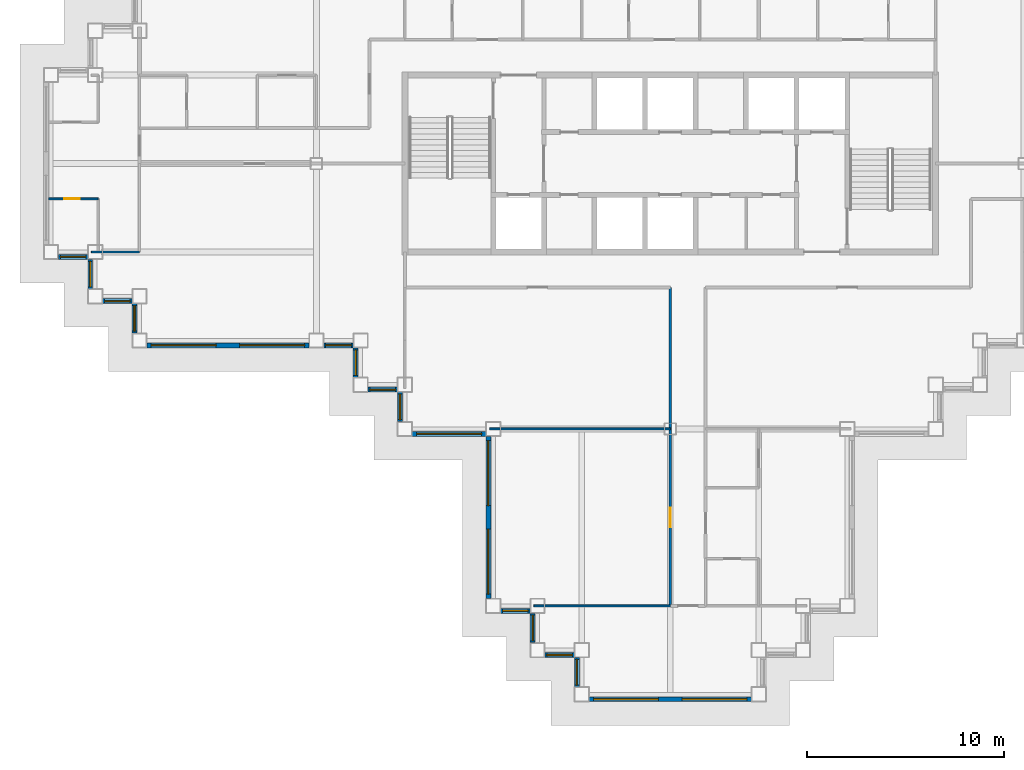
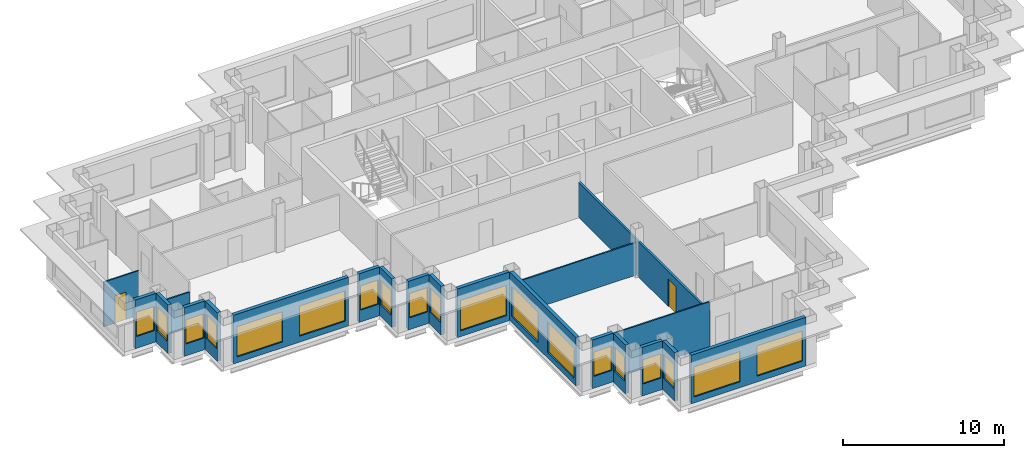
# One storey, part 3 of 13: 21 walls, 19 windows, 2 doors, 21 openings.
"""IFC4 building model written with IfcOpenShell, lengths in metres."""

from ifc_helpers import new_model, si_unit, direction, frame, frame_2d, origin, place, context, subcontext, project, spatial, rectangle, extrude, material, layer, layer_set, type_object, element, fill, save


model = new_model("IFC4")

# Units and contexts
model_context = context("Model", 3, precision=1e-05, world=origin(), true_north=direction((0.0, 1.0)))
body_context = subcontext(model_context, "Body", "Model", "MODEL_VIEW")
ifc_project = project(units=[si_unit("LENGTHUNIT", "METRE"), si_unit("AREAUNIT", "SQUARE_METRE"), si_unit("VOLUMEUNIT", "CUBIC_METRE"), si_unit("PLANEANGLEUNIT", "RADIAN"), si_unit("MASSUNIT", "GRAM", prefix="KILO")], contexts=[model_context])

# Site, building, storey
site_placement = place(None, origin())
site = spatial("IfcSite", under=ifc_project, at=site_placement, CompositionType="ELEMENT")
building_placement = place(site_placement, origin())
building = spatial("IfcBuilding", under=site, at=building_placement, Name="Caravel Reach Hotel and Residences", CompositionType="ELEMENT")
storey_placement = place(building_placement, frame((0.0, 0.0, 180.199951171875)))
storey = spatial("IfcBuildingStorey", under=building, at=storey_placement, Name="L45", CompositionType="ELEMENT", Elevation=180.199951171875)

# Wall, opening, door
ifc_material_1 = material(Name="Gypsum board on steel stud", Category="steel")
ifc_layer_1 = layer(ifc_material_1, 0.10009765625)
ifc_layer_set_1 = layer_set([ifc_layer_1], Name="Bathroom pod wall 100 mm")
wall_type_1 = type_object("IfcWallType", Name="Bathroom pod wall 100 mm", PredefinedType="PARTITIONING", material=ifc_layer_set_1)
wall_1_placement = place(storey_placement, frame((-0.125, 25.199951171875, 0.0), z_axis=(0.0, 0.0, 1.0), x_axis=(1.0, 0.0, 0.0)))
wall_1 = element("IfcWall", 1, at=wall_1_placement, inside=storey, type_object=wall_type_1, Name="L45 wall w074", PredefinedType="PARTITIONING", context=body_context, shape_type="SweptSolid", body=[
    extrude(rectangle(XDim=2.52490234375, YDim=0.10009765625, at=frame_2d((1.262451171875, 0.0))), origin(), (0.0, 0.0, 1.0), 3.400146484375),
])
opening_1_placement = place(wall_1_placement, frame((0.800048828125, 0.0, 0.0)))
opening_1 = element("IfcOpeningElement", 2, at=opening_1_placement, cuts=wall_1, Name="Opening D45-043", PredefinedType="OPENING", context=body_context, shape_type="SweptSolid", body=[
    extrude(rectangle(XDim=0.800048828125, YDim=2.10009765625, at=frame_2d((0.39990234375, 1.050048828125))), frame((0.0, 0.06005859375, 0.0), z_axis=(0.0, -1.0, 0.0), x_axis=(1.0, 0.0, 0.0)), (0.0, 0.0, 1.0), 0.1201171875),
])
ifc_material_2 = material(Name="Timber and steel door leaf", Category="steel")
door_type_1 = type_object("IfcDoorType", Name="Bathroom door 800 x 2100", OperationType="SINGLE_SWING_LEFT", PredefinedType="DOOR", material=ifc_material_2)
door_1_placement = place(opening_1_placement, origin())
door_1 = element("IfcDoor", 3, at=door_1_placement, inside=storey, type_object=door_type_1, Name="door D45-043", OperationType="SINGLE_SWING_LEFT", OverallHeight=2.10009765625, OverallWidth=0.800048828125, PredefinedType="DOOR", context=body_context, shape_type="SweptSolid", body=[
    extrude(rectangle(XDim=0.800048828125, YDim=2.10009765625, at=frame_2d((0.39990234375, 1.050048828125))), frame((0.0, 0.02490234375, 0.0), z_axis=(0.0, -1.0, 0.0), x_axis=(1.0, 0.0, 0.0)), (0.0, 0.0, 1.0), 0.050048828125),
])
fill(opening_1, door_1)

ifc_material_3 = material(Name="Gypsum board on steel stud, fire-rated", Category="steel")
ifc_layer_2 = layer(ifc_material_3, 0.14990234375)
ifc_layer_set_2 = layer_set([ifc_layer_2], Name="Corridor wall 150 mm EI 60")
wall_type_2 = type_object("IfcWallType", Name="Corridor wall 150 mm EI 60", PredefinedType="PARTITIONING", material=ifc_layer_set_2)
wall_2_placement = place(storey_placement, frame((31.5, 4.5, 0.0), z_axis=(0.0, 0.0, 1.0), x_axis=(0.0, 1.0, 0.0)))
wall_2 = element("IfcWall", 4, at=wall_2_placement, inside=storey, type_object=wall_type_2, Name="L45 wall w023", PredefinedType="PARTITIONING", context=body_context, shape_type="SweptSolid", body=[
    extrude(rectangle(XDim=16.199951171875, YDim=0.14990234375, at=frame_2d((8.10009765625, 0.0))), origin(), (0.0, 0.0, 1.0), 2.679931640625),
])
opening_2_placement = place(wall_2_placement, frame((4.0, 0.0, 0.0)))
opening_2 = element("IfcOpeningElement", 5, at=opening_2_placement, cuts=wall_2, Name="Opening D45-038", PredefinedType="OPENING", context=body_context, shape_type="SweptSolid", body=[
    extrude(rectangle(XDim=1.0, YDim=2.10009765625, at=frame_2d((0.5, 1.050048828125))), frame((0.0, 0.0849609375, 0.0), z_axis=(0.0, -1.0, 0.0), x_axis=(1.0, 0.0, 0.0)), (0.0, 0.0, 1.0), 0.169921875),
])
ifc_material_4 = material(Name="Steel fire door leaf", Category="steel")
door_type_2 = type_object("IfcDoorType", Name="Fire door 1000 x 2100 EI 60", OperationType="SINGLE_SWING_LEFT", PredefinedType="DOOR", material=ifc_material_4)
door_2_placement = place(opening_2_placement, origin())
door_2 = element("IfcDoor", 6, at=door_2_placement, inside=storey, type_object=door_type_2, Name="door D45-038", OperationType="SINGLE_SWING_LEFT", OverallHeight=2.10009765625, OverallWidth=1.0, PredefinedType="DOOR", context=body_context, shape_type="SweptSolid", body=[
    extrude(rectangle(XDim=1.0, YDim=2.10009765625, at=frame_2d((0.5, 1.050048828125))), frame((0.0, 0.02490234375, 0.0), z_axis=(0.0, -1.0, 0.0), x_axis=(1.0, 0.0, 0.0)), (0.0, 0.0, 1.0), 0.050048828125),
])
fill(opening_2, door_2)

# Wall, opening, window
ifc_material_5 = material(Name="Insulated rainscreen wall, aluminium cladding", Category="aluminium")
ifc_layer_3 = layer(ifc_material_5, 0.25)
ifc_layer_set_3 = layer_set([ifc_layer_3], Name="EW1 Tower rainscreen wall")
wall_type_3 = type_object("IfcWallType", Name="EW1 Tower rainscreen wall", PredefinedType="SOLIDWALL", material=ifc_layer_set_3)
wall_3_placement = place(storey_placement, frame((22.875, 4.25, 0.0), z_axis=(0.0, 0.0, 1.0), x_axis=(1.0, 0.0, 0.0)))
wall_3 = element("IfcWall", 7, at=wall_3_placement, inside=storey, type_object=wall_type_3, Name="External wall L45 S1.1", PredefinedType="SOLIDWALL", context=body_context, shape_type="SweptSolid", body=[
    extrude(rectangle(XDim=1.5, YDim=0.25, at=frame_2d((0.75, 0.0))), origin(), (0.0, 0.0, 1.0), 3.699951171875),
])
opening_3_placement = place(wall_3_placement, frame((0.10009765625, 0.0, 0.89990234375)))
opening_3 = element("IfcOpeningElement", 8, at=opening_3_placement, cuts=wall_3, Name="Opening WN16", PredefinedType="OPENING", context=body_context, shape_type="SweptSolid", body=[
    extrude(rectangle(XDim=1.300048828125, YDim=1.85009765625, at=frame_2d((0.64990234375, 0.925048828125))), frame((0.0, 0.135009765625, 0.0), z_axis=(0.0, -1.0, 0.0), x_axis=(1.0, 0.0, 0.0)), (0.0, 0.0, 1.0), 0.27001953125),
])
ifc_material_6 = material(Name="Dark low-e glazing in black aluminium frame", Category="aluminium")
window_type_1 = type_object("IfcWindowType", Name="Residence bedroom window 1300 x 1850", PartitioningType="SINGLE_PANEL", PredefinedType="WINDOW", material=ifc_material_6)
window_1_placement = place(opening_3_placement, origin())
window_1 = element("IfcWindow", 9, at=window_1_placement, inside=storey, type_object=window_type_1, Name="Window L45 S1.1.1", OverallHeight=1.85009765625, OverallWidth=1.300048828125, PartitioningType="SINGLE_PANEL", PredefinedType="WINDOW", context=body_context, shape_type="SweptSolid", body=[
    extrude(rectangle(XDim=1.300048828125, YDim=1.85009765625, at=frame_2d((0.64990234375, 0.925048828125))), frame((0.0, 0.030029296875, 0.0), z_axis=(0.0, -1.0, 0.0), x_axis=(1.0, 0.0, 0.0)), (0.0, 0.0, 1.0), 0.06005859375),
])
fill(opening_3, window_1)

wall_4_placement = place(storey_placement, frame((24.5, 4.125, 0.0), z_axis=(0.0, 0.0, 1.0), x_axis=(0.0, -1.0, 0.0)))
wall_4 = element("IfcWall", 10, at=wall_4_placement, inside=storey, type_object=wall_type_3, Name="External wall L45 W2.1", PredefinedType="SOLIDWALL", context=body_context, shape_type="SweptSolid", body=[
    extrude(rectangle(XDim=1.5, YDim=0.25, at=frame_2d((0.75, 0.0))), origin(), (0.0, 0.0, 1.0), 3.699951171875),
])
opening_4_placement = place(wall_4_placement, frame((0.10009765625, 0.0, 0.89990234375)))
opening_4 = element("IfcOpeningElement", 11, at=opening_4_placement, cuts=wall_4, Name="Opening WN16", PredefinedType="OPENING", context=body_context, shape_type="SweptSolid", body=[
    extrude(rectangle(XDim=1.300048828125, YDim=1.85009765625, at=frame_2d((0.64990234375, 0.925048828125))), frame((0.0, 0.135009765625, 0.0), z_axis=(0.0, -1.0, 0.0), x_axis=(1.0, 0.0, 0.0)), (0.0, 0.0, 1.0), 0.27001953125),
])
window_2_placement = place(opening_4_placement, origin())
window_2 = element("IfcWindow", 12, at=window_2_placement, inside=storey, type_object=window_type_1, Name="Window L45 W2.1.1", OverallHeight=1.85009765625, OverallWidth=1.300048828125, PartitioningType="SINGLE_PANEL", PredefinedType="WINDOW", context=body_context, shape_type="SweptSolid", body=[
    extrude(rectangle(XDim=1.300048828125, YDim=1.85009765625, at=frame_2d((0.64990234375, 0.925048828125))), frame((0.0, 0.030029296875, 0.0), z_axis=(0.0, -1.0, 0.0), x_axis=(1.0, 0.0, 0.0)), (0.0, 0.0, 1.0), 0.06005859375),
])
fill(opening_4, window_2)

wall_5_placement = place(storey_placement, frame((25.125, 2.0, 0.0), z_axis=(0.0, 0.0, 1.0), x_axis=(1.0, 0.0, 0.0)))
wall_5 = element("IfcWall", 13, at=wall_5_placement, inside=storey, type_object=wall_type_3, Name="External wall L45 S3.1", PredefinedType="SOLIDWALL", context=body_context, shape_type="SweptSolid", body=[
    extrude(rectangle(XDim=1.5, YDim=0.25, at=frame_2d((0.75, 0.0))), origin(), (0.0, 0.0, 1.0), 3.699951171875),
])
opening_5_placement = place(wall_5_placement, frame((0.10009765625, 0.0, 0.89990234375)))
opening_5 = element("IfcOpeningElement", 14, at=opening_5_placement, cuts=wall_5, Name="Opening WN16", PredefinedType="OPENING", context=body_context, shape_type="SweptSolid", body=[
    extrude(rectangle(XDim=1.300048828125, YDim=1.85009765625, at=frame_2d((0.64990234375, 0.925048828125))), frame((0.0, 0.135009765625, 0.0), z_axis=(0.0, -1.0, 0.0), x_axis=(1.0, 0.0, 0.0)), (0.0, 0.0, 1.0), 0.27001953125),
])
window_3_placement = place(opening_5_placement, origin())
window_3 = element("IfcWindow", 15, at=window_3_placement, inside=storey, type_object=window_type_1, Name="Window L45 S3.1.1", OverallHeight=1.85009765625, OverallWidth=1.300048828125, PartitioningType="SINGLE_PANEL", PredefinedType="WINDOW", context=body_context, shape_type="SweptSolid", body=[
    extrude(rectangle(XDim=1.300048828125, YDim=1.85009765625, at=frame_2d((0.64990234375, 0.925048828125))), frame((0.0, 0.030029296875, 0.0), z_axis=(0.0, -1.0, 0.0), x_axis=(1.0, 0.0, 0.0)), (0.0, 0.0, 1.0), 0.06005859375),
])
fill(opening_5, window_3)

wall_6_placement = place(storey_placement, frame((26.75, 1.875, 0.0), z_axis=(0.0, 0.0, 1.0), x_axis=(0.0, -1.0, 0.0)))
wall_6 = element("IfcWall", 16, at=wall_6_placement, inside=storey, type_object=wall_type_3, Name="External wall L45 W4.1", PredefinedType="SOLIDWALL", context=body_context, shape_type="SweptSolid", body=[
    extrude(rectangle(XDim=1.5, YDim=0.25, at=frame_2d((0.75, 0.0))), origin(), (0.0, 0.0, 1.0), 3.699951171875),
])
opening_6_placement = place(wall_6_placement, frame((0.10009765625, 0.0, 0.89990234375)))
opening_6 = element("IfcOpeningElement", 17, at=opening_6_placement, cuts=wall_6, Name="Opening WN16", PredefinedType="OPENING", context=body_context, shape_type="SweptSolid", body=[
    extrude(rectangle(XDim=1.300048828125, YDim=1.85009765625, at=frame_2d((0.64990234375, 0.925048828125))), frame((0.0, 0.135009765625, 0.0), z_axis=(0.0, -1.0, 0.0), x_axis=(1.0, 0.0, 0.0)), (0.0, 0.0, 1.0), 0.27001953125),
])
window_4_placement = place(opening_6_placement, origin())
window_4 = element("IfcWindow", 18, at=window_4_placement, inside=storey, type_object=window_type_1, Name="Window L45 W4.1.1", OverallHeight=1.85009765625, OverallWidth=1.300048828125, PartitioningType="SINGLE_PANEL", PredefinedType="WINDOW", context=body_context, shape_type="SweptSolid", body=[
    extrude(rectangle(XDim=1.300048828125, YDim=1.85009765625, at=frame_2d((0.64990234375, 0.925048828125))), frame((0.0, 0.030029296875, 0.0), z_axis=(0.0, -1.0, 0.0), x_axis=(1.0, 0.0, 0.0)), (0.0, 0.0, 1.0), 0.06005859375),
])
fill(opening_6, window_4)

# Wall, openings, windows
wall_7_placement = place(storey_placement, frame((27.375, -0.25, 0.0), z_axis=(0.0, 0.0, 1.0), x_axis=(1.0, 0.0, 0.0)))
wall_7 = element("IfcWall", 19, at=wall_7_placement, inside=storey, type_object=wall_type_3, Name="External wall L45 S5.1", PredefinedType="SOLIDWALL", context=body_context, shape_type="SweptSolid", body=[
    extrude(rectangle(XDim=8.25, YDim=0.25, at=frame_2d((4.125, 0.0))), origin(), (0.0, 0.0, 1.0), 3.699951171875),
])
opening_7_placement = place(wall_7_placement, frame((0.22509765625, 0.0, 0.449951171875)))
opening_7 = element("IfcOpeningElement", 20, at=opening_7_placement, cuts=wall_7, Name="Opening WN15", PredefinedType="OPENING", context=body_context, shape_type="SweptSolid", body=[
    extrude(rectangle(XDim=3.300048828125, YDim=2.300048828125, at=frame_2d((1.64990234375, 1.14990234375))), frame((0.0, 0.135009765625, 0.0), z_axis=(0.0, -1.0, 0.0), x_axis=(1.0, 0.0, 0.0)), (0.0, 0.0, 1.0), 0.27001953125),
])
opening_8_placement = place(wall_7_placement, frame((4.72509765625, 0.0, 0.449951171875)))
opening_8 = element("IfcOpeningElement", 21, at=opening_8_placement, cuts=wall_7, Name="Opening WN15", PredefinedType="OPENING", context=body_context, shape_type="SweptSolid", body=[
    extrude(rectangle(XDim=3.300048828125, YDim=2.300048828125, at=frame_2d((1.64990234375, 1.14990234375))), frame((0.0, 0.135009765625, 0.0), z_axis=(0.0, -1.0, 0.0), x_axis=(1.0, 0.0, 0.0)), (0.0, 0.0, 1.0), 0.27001953125),
])
ifc_material_7 = material(Name="Dark low-e glazing in black aluminium frame", Category="aluminium")
window_type_2 = type_object("IfcWindowType", Name="Residence living window 3300 x 2300", PartitioningType="SINGLE_PANEL", PredefinedType="WINDOW", material=ifc_material_7)
window_5_placement = place(opening_7_placement, origin())
window_5 = element("IfcWindow", 22, at=window_5_placement, inside=storey, type_object=window_type_2, Name="Window L45 S5.1.1", OverallHeight=2.300048828125, OverallWidth=3.300048828125, PartitioningType="SINGLE_PANEL", PredefinedType="WINDOW", context=body_context, shape_type="SweptSolid", body=[
    extrude(rectangle(XDim=3.300048828125, YDim=2.300048828125, at=frame_2d((1.64990234375, 1.14990234375))), frame((0.0, 0.030029296875, 0.0), z_axis=(0.0, -1.0, 0.0), x_axis=(1.0, 0.0, 0.0)), (0.0, 0.0, 1.0), 0.06005859375),
])
fill(opening_7, window_5)
window_6_placement = place(opening_8_placement, origin())
window_6 = element("IfcWindow", 23, at=window_6_placement, inside=storey, type_object=window_type_2, Name="Window L45 S5.1.2", OverallHeight=2.300048828125, OverallWidth=3.300048828125, PartitioningType="SINGLE_PANEL", PredefinedType="WINDOW", context=body_context, shape_type="SweptSolid", body=[
    extrude(rectangle(XDim=3.300048828125, YDim=2.300048828125, at=frame_2d((1.64990234375, 1.14990234375))), frame((0.0, 0.030029296875, 0.0), z_axis=(0.0, -1.0, 0.0), x_axis=(1.0, 0.0, 0.0)), (0.0, 0.0, 1.0), 0.06005859375),
])
fill(opening_8, window_6)

# Wall, opening, window
wall_8_placement = place(storey_placement, frame((0.375, 22.25, 0.0), z_axis=(0.0, 0.0, 1.0), x_axis=(1.0, 0.0, 0.0)))
wall_8 = element("IfcWall", 24, at=wall_8_placement, inside=storey, type_object=wall_type_3, Name="External wall L45 S39.1", PredefinedType="SOLIDWALL", context=body_context, shape_type="SweptSolid", body=[
    extrude(rectangle(XDim=1.5, YDim=0.25, at=frame_2d((0.75, 0.0))), origin(), (0.0, 0.0, 1.0), 3.699951171875),
])
opening_9_placement = place(wall_8_placement, frame((0.10009765625, 0.0, 0.89990234375)))
opening_9 = element("IfcOpeningElement", 25, at=opening_9_placement, cuts=wall_8, Name="Opening WN16", PredefinedType="OPENING", context=body_context, shape_type="SweptSolid", body=[
    extrude(rectangle(XDim=1.300048828125, YDim=1.85009765625, at=frame_2d((0.64990234375, 0.925048828125))), frame((0.0, 0.135009765625, 0.0), z_axis=(0.0, -1.0, 0.0), x_axis=(1.0, 0.0, 0.0)), (0.0, 0.0, 1.0), 0.27001953125),
])
window_7_placement = place(opening_9_placement, origin())
window_7 = element("IfcWindow", 26, at=window_7_placement, inside=storey, type_object=window_type_1, Name="Window L45 S39.1.1", OverallHeight=1.85009765625, OverallWidth=1.300048828125, PartitioningType="SINGLE_PANEL", PredefinedType="WINDOW", context=body_context, shape_type="SweptSolid", body=[
    extrude(rectangle(XDim=1.300048828125, YDim=1.85009765625, at=frame_2d((0.64990234375, 0.925048828125))), frame((0.0, 0.030029296875, 0.0), z_axis=(0.0, -1.0, 0.0), x_axis=(1.0, 0.0, 0.0)), (0.0, 0.0, 1.0), 0.06005859375),
])
fill(opening_9, window_7)

wall_9_placement = place(storey_placement, frame((2.0, 22.125, 0.0), z_axis=(0.0, 0.0, 1.0), x_axis=(0.0, -1.0, 0.0)))
wall_9 = element("IfcWall", 27, at=wall_9_placement, inside=storey, type_object=wall_type_3, Name="External wall L45 W40.1", PredefinedType="SOLIDWALL", context=body_context, shape_type="SweptSolid", body=[
    extrude(rectangle(XDim=1.5, YDim=0.25, at=frame_2d((0.75, 0.0))), origin(), (0.0, 0.0, 1.0), 3.699951171875),
])
opening_10_placement = place(wall_9_placement, frame((0.10009765625, 0.0, 0.89990234375)))
opening_10 = element("IfcOpeningElement", 28, at=opening_10_placement, cuts=wall_9, Name="Opening WN16", PredefinedType="OPENING", context=body_context, shape_type="SweptSolid", body=[
    extrude(rectangle(XDim=1.300048828125, YDim=1.85009765625, at=frame_2d((0.64990234375, 0.925048828125))), frame((0.0, 0.135009765625, 0.0), z_axis=(0.0, -1.0, 0.0), x_axis=(1.0, 0.0, 0.0)), (0.0, 0.0, 1.0), 0.27001953125),
])
window_8_placement = place(opening_10_placement, origin())
window_8 = element("IfcWindow", 29, at=window_8_placement, inside=storey, type_object=window_type_1, Name="Window L45 W40.1.1", OverallHeight=1.85009765625, OverallWidth=1.300048828125, PartitioningType="SINGLE_PANEL", PredefinedType="WINDOW", context=body_context, shape_type="SweptSolid", body=[
    extrude(rectangle(XDim=1.300048828125, YDim=1.85009765625, at=frame_2d((0.64990234375, 0.925048828125))), frame((0.0, 0.030029296875, 0.0), z_axis=(0.0, -1.0, 0.0), x_axis=(1.0, 0.0, 0.0)), (0.0, 0.0, 1.0), 0.06005859375),
])
fill(opening_10, window_8)

wall_10_placement = place(storey_placement, frame((2.625, 20.0, 0.0), z_axis=(0.0, 0.0, 1.0), x_axis=(1.0, 0.0, 0.0)))
wall_10 = element("IfcWall", 30, at=wall_10_placement, inside=storey, type_object=wall_type_3, Name="External wall L45 S41.1", PredefinedType="SOLIDWALL", context=body_context, shape_type="SweptSolid", body=[
    extrude(rectangle(XDim=1.5, YDim=0.25, at=frame_2d((0.75, 0.0))), origin(), (0.0, 0.0, 1.0), 3.699951171875),
])
opening_11_placement = place(wall_10_placement, frame((0.10009765625, 0.0, 0.89990234375)))
opening_11 = element("IfcOpeningElement", 31, at=opening_11_placement, cuts=wall_10, Name="Opening WN16", PredefinedType="OPENING", context=body_context, shape_type="SweptSolid", body=[
    extrude(rectangle(XDim=1.300048828125, YDim=1.85009765625, at=frame_2d((0.64990234375, 0.925048828125))), frame((0.0, 0.135009765625, 0.0), z_axis=(0.0, -1.0, 0.0), x_axis=(1.0, 0.0, 0.0)), (0.0, 0.0, 1.0), 0.27001953125),
])
window_9_placement = place(opening_11_placement, origin())
window_9 = element("IfcWindow", 32, at=window_9_placement, inside=storey, type_object=window_type_1, Name="Window L45 S41.1.1", OverallHeight=1.85009765625, OverallWidth=1.300048828125, PartitioningType="SINGLE_PANEL", PredefinedType="WINDOW", context=body_context, shape_type="SweptSolid", body=[
    extrude(rectangle(XDim=1.300048828125, YDim=1.85009765625, at=frame_2d((0.64990234375, 0.925048828125))), frame((0.0, 0.030029296875, 0.0), z_axis=(0.0, -1.0, 0.0), x_axis=(1.0, 0.0, 0.0)), (0.0, 0.0, 1.0), 0.06005859375),
])
fill(opening_11, window_9)

wall_11_placement = place(storey_placement, frame((4.25, 19.875, 0.0), z_axis=(0.0, 0.0, 1.0), x_axis=(0.0, -1.0, 0.0)))
wall_11 = element("IfcWall", 33, at=wall_11_placement, inside=storey, type_object=wall_type_3, Name="External wall L45 W42.1", PredefinedType="SOLIDWALL", context=body_context, shape_type="SweptSolid", body=[
    extrude(rectangle(XDim=1.5, YDim=0.25, at=frame_2d((0.75, 0.0))), origin(), (0.0, 0.0, 1.0), 3.699951171875),
])
opening_12_placement = place(wall_11_placement, frame((0.10009765625, 0.0, 0.89990234375)))
opening_12 = element("IfcOpeningElement", 34, at=opening_12_placement, cuts=wall_11, Name="Opening WN16", PredefinedType="OPENING", context=body_context, shape_type="SweptSolid", body=[
    extrude(rectangle(XDim=1.300048828125, YDim=1.85009765625, at=frame_2d((0.64990234375, 0.925048828125))), frame((0.0, 0.135009765625, 0.0), z_axis=(0.0, -1.0, 0.0), x_axis=(1.0, 0.0, 0.0)), (0.0, 0.0, 1.0), 0.27001953125),
])
window_10_placement = place(opening_12_placement, origin())
window_10 = element("IfcWindow", 35, at=window_10_placement, inside=storey, type_object=window_type_1, Name="Window L45 W42.1.1", OverallHeight=1.85009765625, OverallWidth=1.300048828125, PartitioningType="SINGLE_PANEL", PredefinedType="WINDOW", context=body_context, shape_type="SweptSolid", body=[
    extrude(rectangle(XDim=1.300048828125, YDim=1.85009765625, at=frame_2d((0.64990234375, 0.925048828125))), frame((0.0, 0.030029296875, 0.0), z_axis=(0.0, -1.0, 0.0), x_axis=(1.0, 0.0, 0.0)), (0.0, 0.0, 1.0), 0.06005859375),
])
fill(opening_12, window_10)

# Wall, openings, windows
wall_12_placement = place(storey_placement, frame((4.875, 17.75, 0.0), z_axis=(0.0, 0.0, 1.0), x_axis=(1.0, 0.0, 0.0)))
wall_12 = element("IfcWall", 36, at=wall_12_placement, inside=storey, type_object=wall_type_3, Name="External wall L45 S43.1", PredefinedType="SOLIDWALL", context=body_context, shape_type="SweptSolid", body=[
    extrude(rectangle(XDim=8.25, YDim=0.25, at=frame_2d((4.125, 0.0))), origin(), (0.0, 0.0, 1.0), 3.699951171875),
])
opening_13_placement = place(wall_12_placement, frame((0.22509765625, 0.0, 0.449951171875)))
opening_13 = element("IfcOpeningElement", 37, at=opening_13_placement, cuts=wall_12, Name="Opening WN15", PredefinedType="OPENING", context=body_context, shape_type="SweptSolid", body=[
    extrude(rectangle(XDim=3.300048828125, YDim=2.300048828125, at=frame_2d((1.64990234375, 1.14990234375))), frame((0.0, 0.135009765625, 0.0), z_axis=(0.0, -1.0, 0.0), x_axis=(1.0, 0.0, 0.0)), (0.0, 0.0, 1.0), 0.27001953125),
])
opening_14_placement = place(wall_12_placement, frame((4.72509765625, 0.0, 0.449951171875)))
opening_14 = element("IfcOpeningElement", 38, at=opening_14_placement, cuts=wall_12, Name="Opening WN15", PredefinedType="OPENING", context=body_context, shape_type="SweptSolid", body=[
    extrude(rectangle(XDim=3.300048828125, YDim=2.300048828125, at=frame_2d((1.64990234375, 1.14990234375))), frame((0.0, 0.135009765625, 0.0), z_axis=(0.0, -1.0, 0.0), x_axis=(1.0, 0.0, 0.0)), (0.0, 0.0, 1.0), 0.27001953125),
])
window_11_placement = place(opening_13_placement, origin())
window_11 = element("IfcWindow", 39, at=window_11_placement, inside=storey, type_object=window_type_2, Name="Window L45 S43.1.1", OverallHeight=2.300048828125, OverallWidth=3.300048828125, PartitioningType="SINGLE_PANEL", PredefinedType="WINDOW", context=body_context, shape_type="SweptSolid", body=[
    extrude(rectangle(XDim=3.300048828125, YDim=2.300048828125, at=frame_2d((1.64990234375, 1.14990234375))), frame((0.0, 0.030029296875, 0.0), z_axis=(0.0, -1.0, 0.0), x_axis=(1.0, 0.0, 0.0)), (0.0, 0.0, 1.0), 0.06005859375),
])
fill(opening_13, window_11)
window_12_placement = place(opening_14_placement, origin())
window_12 = element("IfcWindow", 40, at=window_12_placement, inside=storey, type_object=window_type_2, Name="Window L45 S43.1.2", OverallHeight=2.300048828125, OverallWidth=3.300048828125, PartitioningType="SINGLE_PANEL", PredefinedType="WINDOW", context=body_context, shape_type="SweptSolid", body=[
    extrude(rectangle(XDim=3.300048828125, YDim=2.300048828125, at=frame_2d((1.64990234375, 1.14990234375))), frame((0.0, 0.030029296875, 0.0), z_axis=(0.0, -1.0, 0.0), x_axis=(1.0, 0.0, 0.0)), (0.0, 0.0, 1.0), 0.06005859375),
])
fill(opening_14, window_12)

# Wall, opening, window
wall_13_placement = place(storey_placement, frame((13.875, 17.75, 0.0), z_axis=(0.0, 0.0, 1.0), x_axis=(1.0, 0.0, 0.0)))
wall_13 = element("IfcWall", 41, at=wall_13_placement, inside=storey, type_object=wall_type_3, Name="External wall L45 S43.2", PredefinedType="SOLIDWALL", context=body_context, shape_type="SweptSolid", body=[
    extrude(rectangle(XDim=1.5, YDim=0.25, at=frame_2d((0.75, 0.0))), origin(), (0.0, 0.0, 1.0), 3.699951171875),
])
opening_15_placement = place(wall_13_placement, frame((0.10009765625, 0.0, 0.89990234375)))
opening_15 = element("IfcOpeningElement", 42, at=opening_15_placement, cuts=wall_13, Name="Opening WN16", PredefinedType="OPENING", context=body_context, shape_type="SweptSolid", body=[
    extrude(rectangle(XDim=1.300048828125, YDim=1.85009765625, at=frame_2d((0.64990234375, 0.925048828125))), frame((0.0, 0.135009765625, 0.0), z_axis=(0.0, -1.0, 0.0), x_axis=(1.0, 0.0, 0.0)), (0.0, 0.0, 1.0), 0.27001953125),
])
window_13_placement = place(opening_15_placement, origin())
window_13 = element("IfcWindow", 43, at=window_13_placement, inside=storey, type_object=window_type_1, Name="Window L45 S43.2.1", OverallHeight=1.85009765625, OverallWidth=1.300048828125, PartitioningType="SINGLE_PANEL", PredefinedType="WINDOW", context=body_context, shape_type="SweptSolid", body=[
    extrude(rectangle(XDim=1.300048828125, YDim=1.85009765625, at=frame_2d((0.64990234375, 0.925048828125))), frame((0.0, 0.030029296875, 0.0), z_axis=(0.0, -1.0, 0.0), x_axis=(1.0, 0.0, 0.0)), (0.0, 0.0, 1.0), 0.06005859375),
])
fill(opening_15, window_13)

wall_14_placement = place(storey_placement, frame((15.5, 17.625, 0.0), z_axis=(0.0, 0.0, 1.0), x_axis=(0.0, -1.0, 0.0)))
wall_14 = element("IfcWall", 44, at=wall_14_placement, inside=storey, type_object=wall_type_3, Name="External wall L45 W44.1", PredefinedType="SOLIDWALL", context=body_context, shape_type="SweptSolid", body=[
    extrude(rectangle(XDim=1.5, YDim=0.25, at=frame_2d((0.75, 0.0))), origin(), (0.0, 0.0, 1.0), 3.699951171875),
])
opening_16_placement = place(wall_14_placement, frame((0.10009765625, 0.0, 0.89990234375)))
opening_16 = element("IfcOpeningElement", 45, at=opening_16_placement, cuts=wall_14, Name="Opening WN16", PredefinedType="OPENING", context=body_context, shape_type="SweptSolid", body=[
    extrude(rectangle(XDim=1.300048828125, YDim=1.85009765625, at=frame_2d((0.64990234375, 0.925048828125))), frame((0.0, 0.135009765625, 0.0), z_axis=(0.0, -1.0, 0.0), x_axis=(1.0, 0.0, 0.0)), (0.0, 0.0, 1.0), 0.27001953125),
])
window_14_placement = place(opening_16_placement, origin())
window_14 = element("IfcWindow", 46, at=window_14_placement, inside=storey, type_object=window_type_1, Name="Window L45 W44.1.1", OverallHeight=1.85009765625, OverallWidth=1.300048828125, PartitioningType="SINGLE_PANEL", PredefinedType="WINDOW", context=body_context, shape_type="SweptSolid", body=[
    extrude(rectangle(XDim=1.300048828125, YDim=1.85009765625, at=frame_2d((0.64990234375, 0.925048828125))), frame((0.0, 0.030029296875, 0.0), z_axis=(0.0, -1.0, 0.0), x_axis=(1.0, 0.0, 0.0)), (0.0, 0.0, 1.0), 0.06005859375),
])
fill(opening_16, window_14)

wall_15_placement = place(storey_placement, frame((16.125, 15.5, 0.0), z_axis=(0.0, 0.0, 1.0), x_axis=(1.0, 0.0, 0.0)))
wall_15 = element("IfcWall", 47, at=wall_15_placement, inside=storey, type_object=wall_type_3, Name="External wall L45 S45.1", PredefinedType="SOLIDWALL", context=body_context, shape_type="SweptSolid", body=[
    extrude(rectangle(XDim=1.5, YDim=0.25, at=frame_2d((0.75, 0.0))), origin(), (0.0, 0.0, 1.0), 3.699951171875),
])
opening_17_placement = place(wall_15_placement, frame((0.10009765625, 0.0, 0.89990234375)))
opening_17 = element("IfcOpeningElement", 48, at=opening_17_placement, cuts=wall_15, Name="Opening WN16", PredefinedType="OPENING", context=body_context, shape_type="SweptSolid", body=[
    extrude(rectangle(XDim=1.300048828125, YDim=1.85009765625, at=frame_2d((0.64990234375, 0.925048828125))), frame((0.0, 0.135009765625, 0.0), z_axis=(0.0, -1.0, 0.0), x_axis=(1.0, 0.0, 0.0)), (0.0, 0.0, 1.0), 0.27001953125),
])
window_15_placement = place(opening_17_placement, origin())
window_15 = element("IfcWindow", 49, at=window_15_placement, inside=storey, type_object=window_type_1, Name="Window L45 S45.1.1", OverallHeight=1.85009765625, OverallWidth=1.300048828125, PartitioningType="SINGLE_PANEL", PredefinedType="WINDOW", context=body_context, shape_type="SweptSolid", body=[
    extrude(rectangle(XDim=1.300048828125, YDim=1.85009765625, at=frame_2d((0.64990234375, 0.925048828125))), frame((0.0, 0.030029296875, 0.0), z_axis=(0.0, -1.0, 0.0), x_axis=(1.0, 0.0, 0.0)), (0.0, 0.0, 1.0), 0.06005859375),
])
fill(opening_17, window_15)

wall_16_placement = place(storey_placement, frame((17.75, 15.375, 0.0), z_axis=(0.0, 0.0, 1.0), x_axis=(0.0, -1.0, 0.0)))
wall_16 = element("IfcWall", 50, at=wall_16_placement, inside=storey, type_object=wall_type_3, Name="External wall L45 W46.1", PredefinedType="SOLIDWALL", context=body_context, shape_type="SweptSolid", body=[
    extrude(rectangle(XDim=1.5, YDim=0.25, at=frame_2d((0.75, 0.0))), origin(), (0.0, 0.0, 1.0), 3.699951171875),
])
opening_18_placement = place(wall_16_placement, frame((0.10009765625, 0.0, 0.89990234375)))
opening_18 = element("IfcOpeningElement", 51, at=opening_18_placement, cuts=wall_16, Name="Opening WN16", PredefinedType="OPENING", context=body_context, shape_type="SweptSolid", body=[
    extrude(rectangle(XDim=1.300048828125, YDim=1.85009765625, at=frame_2d((0.64990234375, 0.925048828125))), frame((0.0, 0.135009765625, 0.0), z_axis=(0.0, -1.0, 0.0), x_axis=(1.0, 0.0, 0.0)), (0.0, 0.0, 1.0), 0.27001953125),
])
window_16_placement = place(opening_18_placement, origin())
window_16 = element("IfcWindow", 52, at=window_16_placement, inside=storey, type_object=window_type_1, Name="Window L45 W46.1.1", OverallHeight=1.85009765625, OverallWidth=1.300048828125, PartitioningType="SINGLE_PANEL", PredefinedType="WINDOW", context=body_context, shape_type="SweptSolid", body=[
    extrude(rectangle(XDim=1.300048828125, YDim=1.85009765625, at=frame_2d((0.64990234375, 0.925048828125))), frame((0.0, 0.030029296875, 0.0), z_axis=(0.0, -1.0, 0.0), x_axis=(1.0, 0.0, 0.0)), (0.0, 0.0, 1.0), 0.06005859375),
])
fill(opening_18, window_16)

wall_17_placement = place(storey_placement, frame((18.375, 13.25, 0.0), z_axis=(0.0, 0.0, 1.0), x_axis=(1.0, 0.0, 0.0)))
wall_17 = element("IfcWall", 53, at=wall_17_placement, inside=storey, type_object=wall_type_3, Name="External wall L45 S47.1", PredefinedType="SOLIDWALL", context=body_context, shape_type="SweptSolid", body=[
    extrude(rectangle(XDim=3.75, YDim=0.25, at=frame_2d((1.875, 0.0))), origin(), (0.0, 0.0, 1.0), 3.699951171875),
])
opening_19_placement = place(wall_17_placement, frame((0.22509765625, 0.0, 0.449951171875)))
opening_19 = element("IfcOpeningElement", 54, at=opening_19_placement, cuts=wall_17, Name="Opening WN15", PredefinedType="OPENING", context=body_context, shape_type="SweptSolid", body=[
    extrude(rectangle(XDim=3.300048828125, YDim=2.300048828125, at=frame_2d((1.64990234375, 1.14990234375))), frame((0.0, 0.135009765625, 0.0), z_axis=(0.0, -1.0, 0.0), x_axis=(1.0, 0.0, 0.0)), (0.0, 0.0, 1.0), 0.27001953125),
])
window_17_placement = place(opening_19_placement, origin())
window_17 = element("IfcWindow", 55, at=window_17_placement, inside=storey, type_object=window_type_2, Name="Window L45 S47.1.1", OverallHeight=2.300048828125, OverallWidth=3.300048828125, PartitioningType="SINGLE_PANEL", PredefinedType="WINDOW", context=body_context, shape_type="SweptSolid", body=[
    extrude(rectangle(XDim=3.300048828125, YDim=2.300048828125, at=frame_2d((1.64990234375, 1.14990234375))), frame((0.0, 0.030029296875, 0.0), z_axis=(0.0, -1.0, 0.0), x_axis=(1.0, 0.0, 0.0)), (0.0, 0.0, 1.0), 0.06005859375),
])
fill(opening_19, window_17)

# Wall, openings, windows
wall_18_placement = place(storey_placement, frame((22.25, 13.125, 0.0), z_axis=(0.0, 0.0, 1.0), x_axis=(0.0, -1.0, 0.0)))
wall_18 = element("IfcWall", 56, at=wall_18_placement, inside=storey, type_object=wall_type_3, Name="External wall L45 W48.1", PredefinedType="SOLIDWALL", context=body_context, shape_type="SweptSolid", body=[
    extrude(rectangle(XDim=8.25, YDim=0.25, at=frame_2d((4.125, 0.0))), origin(), (0.0, 0.0, 1.0), 3.699951171875),
])
opening_20_placement = place(wall_18_placement, frame((0.22509765625, 0.0, 0.449951171875)))
opening_20 = element("IfcOpeningElement", 57, at=opening_20_placement, cuts=wall_18, Name="Opening WN15", PredefinedType="OPENING", context=body_context, shape_type="SweptSolid", body=[
    extrude(rectangle(XDim=3.300048828125, YDim=2.300048828125, at=frame_2d((1.64990234375, 1.14990234375))), frame((0.0, 0.135009765625, 0.0), z_axis=(0.0, -1.0, 0.0), x_axis=(1.0, 0.0, 0.0)), (0.0, 0.0, 1.0), 0.27001953125),
])
opening_21_placement = place(wall_18_placement, frame((4.72509765625, 0.0, 0.449951171875)))
opening_21 = element("IfcOpeningElement", 58, at=opening_21_placement, cuts=wall_18, Name="Opening WN15", PredefinedType="OPENING", context=body_context, shape_type="SweptSolid", body=[
    extrude(rectangle(XDim=3.300048828125, YDim=2.300048828125, at=frame_2d((1.64990234375, 1.14990234375))), frame((0.0, 0.135009765625, 0.0), z_axis=(0.0, -1.0, 0.0), x_axis=(1.0, 0.0, 0.0)), (0.0, 0.0, 1.0), 0.27001953125),
])
window_18_placement = place(opening_20_placement, origin())
window_18 = element("IfcWindow", 59, at=window_18_placement, inside=storey, type_object=window_type_2, Name="Window L45 W48.1.1", OverallHeight=2.300048828125, OverallWidth=3.300048828125, PartitioningType="SINGLE_PANEL", PredefinedType="WINDOW", context=body_context, shape_type="SweptSolid", body=[
    extrude(rectangle(XDim=3.300048828125, YDim=2.300048828125, at=frame_2d((1.64990234375, 1.14990234375))), frame((0.0, 0.030029296875, 0.0), z_axis=(0.0, -1.0, 0.0), x_axis=(1.0, 0.0, 0.0)), (0.0, 0.0, 1.0), 0.06005859375),
])
fill(opening_20, window_18)
window_19_placement = place(opening_21_placement, origin())
window_19 = element("IfcWindow", 60, at=window_19_placement, inside=storey, type_object=window_type_2, Name="Window L45 W48.1.2", OverallHeight=2.300048828125, OverallWidth=3.300048828125, PartitioningType="SINGLE_PANEL", PredefinedType="WINDOW", context=body_context, shape_type="SweptSolid", body=[
    extrude(rectangle(XDim=3.300048828125, YDim=2.300048828125, at=frame_2d((1.64990234375, 1.14990234375))), frame((0.0, 0.030029296875, 0.0), z_axis=(0.0, -1.0, 0.0), x_axis=(1.0, 0.0, 0.0)), (0.0, 0.0, 1.0), 0.06005859375),
])
fill(opening_21, window_19)

# Walls
ifc_material_8 = material(Name="Gypsum board on steel stud", Category="steel")
ifc_layer_4 = layer(ifc_material_8, 0.10009765625)
ifc_layer_set_4 = layer_set([ifc_layer_4], Name="Partition 100 mm")
wall_type_4 = type_object("IfcWallType", Name="Partition 100 mm", PredefinedType="PARTITIONING", material=ifc_layer_set_4)
wall_19_placement = place(storey_placement, frame((22.31005859375, 13.5, 0.0), z_axis=(0.0, 0.0, 1.0), x_axis=(1.0, 0.0, 0.0)))
element("IfcWall", 61, at=wall_19_placement, inside=storey, type_object=wall_type_4, Name="L45 wall w035", PredefinedType="PARTITIONING", context=body_context, shape_type="SweptSolid", body=[
    extrude(rectangle(XDim=9.18994140625, YDim=0.10009765625, at=frame_2d((4.594970703125, 0.0))), origin(), (0.0, 0.0, 1.0), 2.47998046875),
])
wall_20_placement = place(storey_placement, frame((2.06005859375, 22.5, 0.0), z_axis=(0.0, 0.0, 1.0), x_axis=(1.0, 0.0, 0.0)))
element("IfcWall", 62, at=wall_20_placement, inside=storey, type_object=wall_type_4, Name="L45 wall w038", PredefinedType="PARTITIONING", context=body_context, shape_type="SweptSolid", body=[
    extrude(rectangle(XDim=2.43896484375, YDim=0.10009765625, at=frame_2d((1.219482421875, 0.0))), origin(), (0.0, 0.0, 1.0), 2.679931640625),
])
wall_21_placement = place(storey_placement, frame((24.56005859375, 4.5, 0.0), z_axis=(0.0, 0.0, 1.0), x_axis=(1.0, 0.0, 0.0)))
element("IfcWall", 63, at=wall_21_placement, inside=storey, type_object=wall_type_4, Name="L45 wall w049", PredefinedType="PARTITIONING", context=body_context, shape_type="SweptSolid", body=[
    extrude(rectangle(XDim=6.93994140625, YDim=0.10009765625, at=frame_2d((3.469970703125, 0.0))), origin(), (0.0, 0.0, 1.0), 3.400146484375),
])

save(model, "model.ifc")
